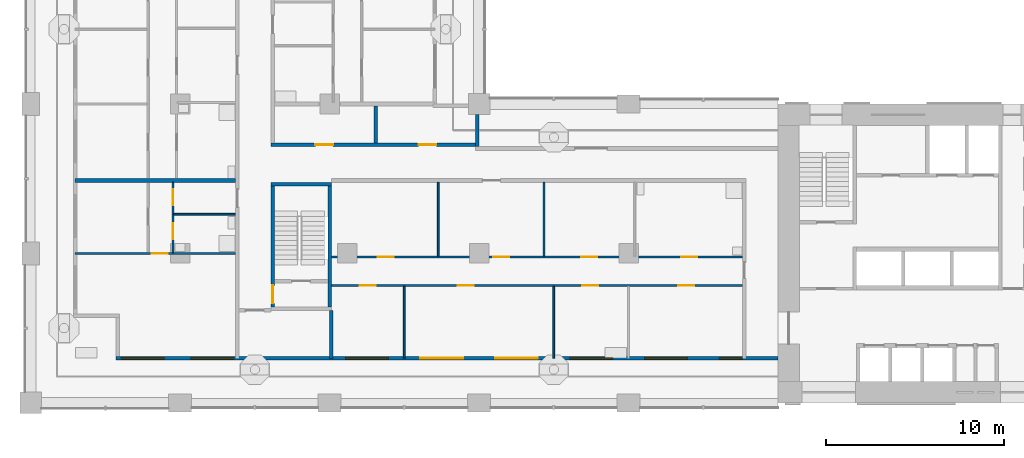
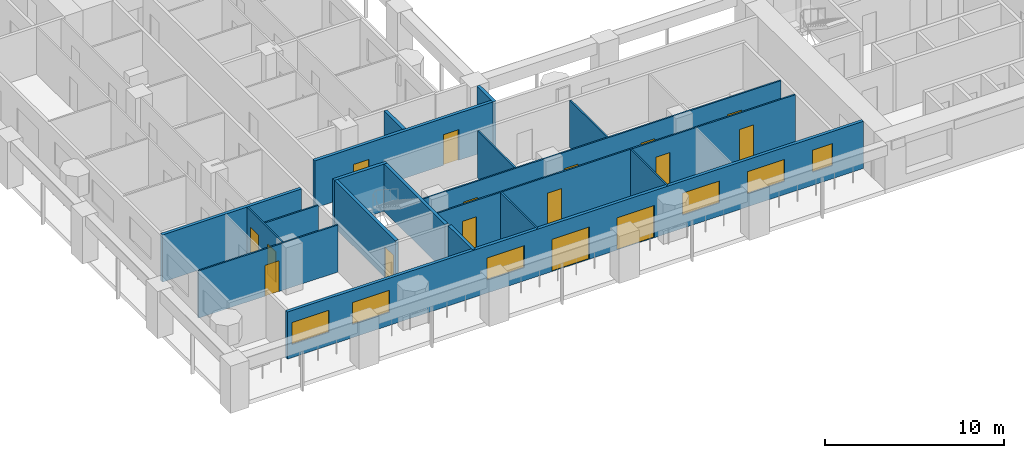
# One storey, part 2 of 18: 18 walls, 16 doors, 6 windows, 22 openings.
"""IFC4 building model written with IfcOpenShell, lengths in metres."""

from ifc_helpers import new_model, si_unit, direction, frame, frame_2d, origin, place, context, subcontext, project, spatial, rectangle, extrude, material, layer, layer_set, type_object, element, fill, save


model = new_model("IFC4")

# Units and contexts
model_context = context("Model", 3, precision=1e-05, world=origin(), true_north=direction((0.0, 1.0)))
body_context = subcontext(model_context, "Body", "Model", "MODEL_VIEW")
ifc_project = project(units=[si_unit("LENGTHUNIT", "METRE"), si_unit("AREAUNIT", "SQUARE_METRE"), si_unit("VOLUMEUNIT", "CUBIC_METRE"), si_unit("PLANEANGLEUNIT", "RADIAN"), si_unit("MASSUNIT", "GRAM", prefix="KILO")], contexts=[model_context])

# Site, building, storey
site_placement = place(None, origin())
site = spatial("IfcSite", under=ifc_project, at=site_placement, CompositionType="ELEMENT")
building_placement = place(site_placement, origin())
building = spatial("IfcBuilding", under=site, at=building_placement, Name="Vermilion Gate Residences", CompositionType="ELEMENT")
storey_placement = place(building_placement, frame((0.0, 0.0, 84.699951171875)))
storey = spatial("IfcBuildingStorey", under=building, at=storey_placement, Name="L20", CompositionType="ELEMENT", Elevation=84.699951171875)

# Wall, openings, doors, windows
ifc_material_1 = material(Name="Insulated steel stud wall with terracotta rainscreen", Category="masonry")
ifc_layer_1 = layer(ifc_material_1, 0.199951171875)
ifc_layer_set_1 = layer_set([ifc_layer_1], Name="EXTERNAL WALL 200 TERRACOTTA RAINSCREEN")
wall_type_1 = type_object("IfcWallType", Name="EXTERNAL WALL 200 TERRACOTTA RAINSCREEN", PredefinedType="SOLIDWALL", material=ifc_layer_set_1)
wall_1_placement = place(storey_placement, frame((4.800048828125, 10.89990234375, 0.0), z_axis=(0.0, 0.0, 1.0), x_axis=(1.0, 0.0, 0.0)))
wall_1 = element("IfcWall", 1, at=wall_1_placement, inside=storey, type_object=wall_type_1, Name="External wall", PredefinedType="SOLIDWALL", context=body_context, shape_type="SweptSolid", body=[
    extrude(rectangle(XDim=37.199951171875, YDim=0.199951171875, at=frame_2d((18.60009765625, 0.0))), origin(), (0.0, 0.0, 1.0), 3.219970703125),
])
opening_1_placement = place(wall_1_placement, frame((0.300048828125, 0.0, 0.89990234375)))
opening_1 = element("IfcOpeningElement", 2, at=opening_1_placement, cuts=wall_1, Name="Opening WE20012", PredefinedType="OPENING", context=body_context, shape_type="SweptSolid", body=[
    extrude(rectangle(XDim=2.39990234375, YDim=1.5, at=frame_2d((1.199951171875, 0.75))), frame((0.0, 0.10986328125, 0.0), z_axis=(0.0, -1.0, 0.0), x_axis=(1.0, 0.0, 0.0)), (0.0, 0.0, 1.0), 0.219970703125),
])
opening_2_placement = place(wall_1_placement, frame((4.199951171875, 0.0, 0.89990234375)))
opening_2 = element("IfcOpeningElement", 3, at=opening_2_placement, cuts=wall_1, Name="Opening WE20013", PredefinedType="OPENING", context=body_context, shape_type="SweptSolid", body=[
    extrude(rectangle(XDim=2.39990234375, YDim=1.5, at=frame_2d((1.199951171875, 0.75))), frame((0.0, 0.10986328125, 0.0), z_axis=(0.0, -1.0, 0.0), x_axis=(1.0, 0.0, 0.0)), (0.0, 0.0, 1.0), 0.219970703125),
])
opening_3_placement = place(wall_1_placement, frame((12.89990234375, 0.0, 0.89990234375)))
opening_3 = element("IfcOpeningElement", 4, at=opening_3_placement, cuts=wall_1, Name="Opening WE20014", PredefinedType="OPENING", context=body_context, shape_type="SweptSolid", body=[
    extrude(rectangle(XDim=2.39990234375, YDim=1.5, at=frame_2d((1.199951171875, 0.75))), frame((0.0, 0.10986328125, 0.0), z_axis=(0.0, -1.0, 0.0), x_axis=(1.0, 0.0, 0.0)), (0.0, 0.0, 1.0), 0.219970703125),
])
opening_4_placement = place(wall_1_placement, frame((17.10009765625, 0.0, 0.0)))
opening_4 = element("IfcOpeningElement", 5, at=opening_4_placement, cuts=wall_1, Name="Opening DE20015", PredefinedType="OPENING", context=body_context, shape_type="SweptSolid", body=[
    extrude(rectangle(XDim=2.39990234375, YDim=2.199951171875, at=frame_2d((1.199951171875, 1.10009765625))), frame((0.0, 0.10986328125, 0.0), z_axis=(0.0, -1.0, 0.0), x_axis=(1.0, 0.0, 0.0)), (0.0, 0.0, 1.0), 0.219970703125),
])
opening_5_placement = place(wall_1_placement, frame((21.300048828125, 0.0, 0.0)))
opening_5 = element("IfcOpeningElement", 6, at=opening_5_placement, cuts=wall_1, Name="Opening DE20016", PredefinedType="OPENING", context=body_context, shape_type="SweptSolid", body=[
    extrude(rectangle(XDim=2.39990234375, YDim=2.199951171875, at=frame_2d((1.199951171875, 1.10009765625))), frame((0.0, 0.10986328125, 0.0), z_axis=(0.0, -1.0, 0.0), x_axis=(1.0, 0.0, 0.0)), (0.0, 0.0, 1.0), 0.219970703125),
])
opening_6_placement = place(wall_1_placement, frame((25.5, 0.0, 0.89990234375)))
opening_6 = element("IfcOpeningElement", 7, at=opening_6_placement, cuts=wall_1, Name="Opening WE20017", PredefinedType="OPENING", context=body_context, shape_type="SweptSolid", body=[
    extrude(rectangle(XDim=2.39990234375, YDim=1.5, at=frame_2d((1.199951171875, 0.75))), frame((0.0, 0.10986328125, 0.0), z_axis=(0.0, -1.0, 0.0), x_axis=(1.0, 0.0, 0.0)), (0.0, 0.0, 1.0), 0.219970703125),
])
opening_7_placement = place(wall_1_placement, frame((29.699951171875, 0.0, 0.89990234375)))
opening_7 = element("IfcOpeningElement", 8, at=opening_7_placement, cuts=wall_1, Name="Opening WE20018", PredefinedType="OPENING", context=body_context, shape_type="SweptSolid", body=[
    extrude(rectangle(XDim=2.39990234375, YDim=1.5, at=frame_2d((1.199951171875, 0.75))), frame((0.0, 0.10986328125, 0.0), z_axis=(0.0, -1.0, 0.0), x_axis=(1.0, 0.0, 0.0)), (0.0, 0.0, 1.0), 0.219970703125),
])
opening_8_placement = place(wall_1_placement, frame((33.89990234375, 0.0, 0.89990234375)))
opening_8 = element("IfcOpeningElement", 9, at=opening_8_placement, cuts=wall_1, Name="Opening WE20019", PredefinedType="OPENING", context=body_context, shape_type="SweptSolid", body=[
    extrude(rectangle(XDim=1.300048828125, YDim=1.5, at=frame_2d((0.64990234375, 0.75))), frame((0.0, 0.10986328125, 0.0), z_axis=(0.0, -1.0, 0.0), x_axis=(1.0, 0.0, 0.0)), (0.0, 0.0, 1.0), 0.219970703125),
])
ifc_material_2 = material(Name="Aluminium and clear glass", Category="aluminium")
door_type_1 = type_object("IfcDoorType", Name="SLIDING GLAZED DOOR 2400 X 2200", OperationType="DOUBLE_DOOR_SLIDING", PredefinedType="DOOR", material=ifc_material_2)
door_1_placement = place(opening_4_placement, origin())
door_1 = element("IfcDoor", 10, at=door_1_placement, inside=storey, type_object=door_type_1, Name="Loggia sliding door", OperationType="DOUBLE_DOOR_SLIDING", OverallHeight=2.199951171875, OverallWidth=2.39990234375, PredefinedType="DOOR", context=body_context, shape_type="SweptSolid", body=[
    extrude(rectangle(XDim=2.39990234375, YDim=2.199951171875, at=frame_2d((1.199951171875, 1.10009765625))), frame((0.0, 0.02490234375, 0.0), z_axis=(0.0, -1.0, 0.0), x_axis=(1.0, 0.0, 0.0)), (0.0, 0.0, 1.0), 0.050048828125),
])
fill(opening_4, door_1)
door_2_placement = place(opening_5_placement, origin())
door_2 = element("IfcDoor", 11, at=door_2_placement, inside=storey, type_object=door_type_1, Name="Loggia sliding door", OperationType="DOUBLE_DOOR_SLIDING", OverallHeight=2.199951171875, OverallWidth=2.39990234375, PredefinedType="DOOR", context=body_context, shape_type="SweptSolid", body=[
    extrude(rectangle(XDim=2.39990234375, YDim=2.199951171875, at=frame_2d((1.199951171875, 1.10009765625))), frame((0.0, 0.02490234375, 0.0), z_axis=(0.0, -1.0, 0.0), x_axis=(1.0, 0.0, 0.0)), (0.0, 0.0, 1.0), 0.050048828125),
])
fill(opening_5, door_2)
ifc_material_3 = material(Name="Aluminium and clear glass", Category="aluminium")
window_type_1 = type_object("IfcWindowType", Name="WINDOW 1300 X 1500", PartitioningType="SINGLE_PANEL", PredefinedType="WINDOW", material=ifc_material_3)
window_1_placement = place(opening_8_placement, origin())
window_1 = element("IfcWindow", 12, at=window_1_placement, inside=storey, type_object=window_type_1, Name="Window", OverallHeight=1.5, OverallWidth=1.300048828125, PartitioningType="SINGLE_PANEL", PredefinedType="WINDOW", context=body_context, shape_type="SweptSolid", body=[
    extrude(rectangle(XDim=1.300048828125, YDim=1.5, at=frame_2d((0.64990234375, 0.75))), frame((0.0, 0.030029296875, 0.0), z_axis=(0.0, -1.0, 0.0), x_axis=(1.0, 0.0, 0.0)), (0.0, 0.0, 1.0), 0.06005859375),
])
fill(opening_8, window_1)
ifc_material_4 = material(Name="Aluminium and clear glass", Category="aluminium")
window_type_2 = type_object("IfcWindowType", Name="WINDOW 2400 X 1500", PartitioningType="SINGLE_PANEL", PredefinedType="WINDOW", material=ifc_material_4)
window_2_placement = place(opening_1_placement, origin())
window_2 = element("IfcWindow", 13, at=window_2_placement, inside=storey, type_object=window_type_2, Name="Window", OverallHeight=1.5, OverallWidth=2.39990234375, PartitioningType="SINGLE_PANEL", PredefinedType="WINDOW", context=body_context, shape_type="SweptSolid", body=[
    extrude(rectangle(XDim=2.39990234375, YDim=1.5, at=frame_2d((1.199951171875, 0.75))), frame((0.0, 0.030029296875, 0.0), z_axis=(0.0, -1.0, 0.0), x_axis=(1.0, 0.0, 0.0)), (0.0, 0.0, 1.0), 0.06005859375),
])
fill(opening_1, window_2)
window_3_placement = place(opening_2_placement, origin())
window_3 = element("IfcWindow", 14, at=window_3_placement, inside=storey, type_object=window_type_2, Name="Window", OverallHeight=1.5, OverallWidth=2.39990234375, PartitioningType="SINGLE_PANEL", PredefinedType="WINDOW", context=body_context, shape_type="SweptSolid", body=[
    extrude(rectangle(XDim=2.39990234375, YDim=1.5, at=frame_2d((1.199951171875, 0.75))), frame((0.0, 0.030029296875, 0.0), z_axis=(0.0, -1.0, 0.0), x_axis=(1.0, 0.0, 0.0)), (0.0, 0.0, 1.0), 0.06005859375),
])
fill(opening_2, window_3)
window_4_placement = place(opening_3_placement, origin())
window_4 = element("IfcWindow", 15, at=window_4_placement, inside=storey, type_object=window_type_2, Name="Window", OverallHeight=1.5, OverallWidth=2.39990234375, PartitioningType="SINGLE_PANEL", PredefinedType="WINDOW", context=body_context, shape_type="SweptSolid", body=[
    extrude(rectangle(XDim=2.39990234375, YDim=1.5, at=frame_2d((1.199951171875, 0.75))), frame((0.0, 0.030029296875, 0.0), z_axis=(0.0, -1.0, 0.0), x_axis=(1.0, 0.0, 0.0)), (0.0, 0.0, 1.0), 0.06005859375),
])
fill(opening_3, window_4)
window_5_placement = place(opening_6_placement, origin())
window_5 = element("IfcWindow", 16, at=window_5_placement, inside=storey, type_object=window_type_2, Name="Window", OverallHeight=1.5, OverallWidth=2.39990234375, PartitioningType="SINGLE_PANEL", PredefinedType="WINDOW", context=body_context, shape_type="SweptSolid", body=[
    extrude(rectangle(XDim=2.39990234375, YDim=1.5, at=frame_2d((1.199951171875, 0.75))), frame((0.0, 0.030029296875, 0.0), z_axis=(0.0, -1.0, 0.0), x_axis=(1.0, 0.0, 0.0)), (0.0, 0.0, 1.0), 0.06005859375),
])
fill(opening_6, window_5)
window_6_placement = place(opening_7_placement, origin())
window_6 = element("IfcWindow", 17, at=window_6_placement, inside=storey, type_object=window_type_2, Name="Window", OverallHeight=1.5, OverallWidth=2.39990234375, PartitioningType="SINGLE_PANEL", PredefinedType="WINDOW", context=body_context, shape_type="SweptSolid", body=[
    extrude(rectangle(XDim=2.39990234375, YDim=1.5, at=frame_2d((1.199951171875, 0.75))), frame((0.0, 0.030029296875, 0.0), z_axis=(0.0, -1.0, 0.0), x_axis=(1.0, 0.0, 0.0)), (0.0, 0.0, 1.0), 0.06005859375),
])
fill(opening_7, window_6)

# Wall
wall_2_placement = place(storey_placement, frame((25.10009765625, 22.800048828125, 0.0), z_axis=(0.0, 0.0, 1.0), x_axis=(0.0, 1.0, 0.0)))
element("IfcWall", 18, at=wall_2_placement, inside=storey, type_object=wall_type_1, Name="External wall", PredefinedType="SOLIDWALL", context=body_context, shape_type="SweptSolid", body=[
    extrude(rectangle(XDim=1.800048828125, YDim=0.199951171875, at=frame_2d((0.89990234375, 0.0))), origin(), (0.0, 0.0, 1.0), 3.219970703125),
])

# Wall, openings, doors
ifc_material_5 = material(Name="Plasterboard on steel studs", Category="steel")
ifc_layer_2 = layer(ifc_material_5, 0.10009765625)
ifc_layer_set_2 = layer_set([ifc_layer_2], Name="PARTITION 100")
wall_type_2 = type_object("IfcWallType", Name="PARTITION 100", PredefinedType="PARTITIONING", material=ifc_layer_set_2)
wall_3_placement = place(storey_placement, frame((16.89990234375, 15.0, 0.0), z_axis=(0.0, 0.0, 1.0), x_axis=(1.0, 0.0, 0.0)))
wall_3 = element("IfcWall", 19, at=wall_3_placement, inside=storey, type_object=wall_type_2, Name="Partition", PredefinedType="PARTITIONING", context=body_context, shape_type="SweptSolid", body=[
    extrude(rectangle(XDim=23.10009765625, YDim=0.10009765625, at=frame_2d((11.550048828125, 0.0))), origin(), (0.0, 0.0, 1.0), 3.219970703125),
])
opening_9_placement = place(wall_3_placement, frame((1.60009765625, 0.0, 0.0)))
opening_9 = element("IfcOpeningElement", 20, at=opening_9_placement, cuts=wall_3, Name="Opening DA19002", PredefinedType="OPENING", context=body_context, shape_type="SweptSolid", body=[
    extrude(rectangle(XDim=0.89990234375, YDim=2.10009765625, at=frame_2d((0.449951171875, 1.050048828125))), frame((0.0, 0.06005859375, 0.0), z_axis=(0.0, -1.0, 0.0), x_axis=(1.0, 0.0, 0.0)), (0.0, 0.0, 1.0), 0.1201171875),
])
opening_10_placement = place(wall_3_placement, frame((7.10009765625, 0.0, 0.0)))
opening_10 = element("IfcOpeningElement", 21, at=opening_10_placement, cuts=wall_3, Name="Opening DA19003", PredefinedType="OPENING", context=body_context, shape_type="SweptSolid", body=[
    extrude(rectangle(XDim=0.89990234375, YDim=2.10009765625, at=frame_2d((0.449951171875, 1.050048828125))), frame((0.0, 0.06005859375, 0.0), z_axis=(0.0, -1.0, 0.0), x_axis=(1.0, 0.0, 0.0)), (0.0, 0.0, 1.0), 0.1201171875),
])
opening_11_placement = place(wall_3_placement, frame((14.10009765625, 0.0, 0.0)))
opening_11 = element("IfcOpeningElement", 22, at=opening_11_placement, cuts=wall_3, Name="Opening DA19004", PredefinedType="OPENING", context=body_context, shape_type="SweptSolid", body=[
    extrude(rectangle(XDim=0.89990234375, YDim=2.10009765625, at=frame_2d((0.449951171875, 1.050048828125))), frame((0.0, 0.06005859375, 0.0), z_axis=(0.0, -1.0, 0.0), x_axis=(1.0, 0.0, 0.0)), (0.0, 0.0, 1.0), 0.1201171875),
])
opening_12_placement = place(wall_3_placement, frame((19.5, 0.0, 0.0)))
opening_12 = element("IfcOpeningElement", 23, at=opening_12_placement, cuts=wall_3, Name="Opening DA19005", PredefinedType="OPENING", context=body_context, shape_type="SweptSolid", body=[
    extrude(rectangle(XDim=0.89990234375, YDim=2.10009765625, at=frame_2d((0.449951171875, 1.050048828125))), frame((0.0, 0.06005859375, 0.0), z_axis=(0.0, -1.0, 0.0), x_axis=(1.0, 0.0, 0.0)), (0.0, 0.0, 1.0), 0.1201171875),
])
ifc_material_6 = material(Name="Timber", Category="wood")
door_type_2 = type_object("IfcDoorType", Name="INTERIOR DOOR 900 X 2100", OperationType="SINGLE_SWING_LEFT", PredefinedType="DOOR", material=ifc_material_6)
door_3_placement = place(opening_9_placement, frame((0.89990234375, 0.0, 0.0), z_axis=(0.0, 0.0, 1.0), x_axis=(-1.0, 0.0, 0.0)))
door_3 = element("IfcDoor", 24, at=door_3_placement, inside=storey, type_object=door_type_2, Name="Interior door", OperationType="SINGLE_SWING_LEFT", OverallHeight=2.10009765625, OverallWidth=0.89990234375, PredefinedType="DOOR", context=body_context, shape_type="SweptSolid", body=[
    extrude(rectangle(XDim=0.89990234375, YDim=2.10009765625, at=frame_2d((0.449951171875, 1.050048828125))), frame((0.0, 0.02490234375, 0.0), z_axis=(0.0, -1.0, 0.0), x_axis=(1.0, 0.0, 0.0)), (0.0, 0.0, 1.0), 0.050048828125),
])
fill(opening_9, door_3)
door_4_placement = place(opening_10_placement, frame((0.89990234375, 0.0, 0.0), z_axis=(0.0, 0.0, 1.0), x_axis=(-1.0, 0.0, 0.0)))
door_4 = element("IfcDoor", 25, at=door_4_placement, inside=storey, type_object=door_type_2, Name="Interior door", OperationType="SINGLE_SWING_RIGHT", OverallHeight=2.10009765625, OverallWidth=0.89990234375, PredefinedType="DOOR", context=body_context, shape_type="SweptSolid", body=[
    extrude(rectangle(XDim=0.89990234375, YDim=2.10009765625, at=frame_2d((0.449951171875, 1.050048828125))), frame((0.0, 0.02490234375, 0.0), z_axis=(0.0, -1.0, 0.0), x_axis=(1.0, 0.0, 0.0)), (0.0, 0.0, 1.0), 0.050048828125),
])
fill(opening_10, door_4)
door_5_placement = place(opening_11_placement, frame((0.89990234375, 0.0, 0.0), z_axis=(0.0, 0.0, 1.0), x_axis=(-1.0, 0.0, 0.0)))
door_5 = element("IfcDoor", 26, at=door_5_placement, inside=storey, type_object=door_type_2, Name="Interior door", OperationType="SINGLE_SWING_RIGHT", OverallHeight=2.10009765625, OverallWidth=0.89990234375, PredefinedType="DOOR", context=body_context, shape_type="SweptSolid", body=[
    extrude(rectangle(XDim=0.89990234375, YDim=2.10009765625, at=frame_2d((0.449951171875, 1.050048828125))), frame((0.0, 0.02490234375, 0.0), z_axis=(0.0, -1.0, 0.0), x_axis=(1.0, 0.0, 0.0)), (0.0, 0.0, 1.0), 0.050048828125),
])
fill(opening_11, door_5)
door_6_placement = place(opening_12_placement, frame((0.89990234375, 0.0, 0.0), z_axis=(0.0, 0.0, 1.0), x_axis=(-1.0, 0.0, 0.0)))
door_6 = element("IfcDoor", 27, at=door_6_placement, inside=storey, type_object=door_type_2, Name="Interior door", OperationType="SINGLE_SWING_LEFT", OverallHeight=2.10009765625, OverallWidth=0.89990234375, PredefinedType="DOOR", context=body_context, shape_type="SweptSolid", body=[
    extrude(rectangle(XDim=0.89990234375, YDim=2.10009765625, at=frame_2d((0.449951171875, 1.050048828125))), frame((0.0, 0.02490234375, 0.0), z_axis=(0.0, -1.0, 0.0), x_axis=(1.0, 0.0, 0.0)), (0.0, 0.0, 1.0), 0.050048828125),
])
fill(opening_12, door_6)

wall_4_placement = place(storey_placement, frame((16.89990234375, 16.60009765625, 0.0), z_axis=(0.0, 0.0, 1.0), x_axis=(1.0, 0.0, 0.0)))
wall_4 = element("IfcWall", 28, at=wall_4_placement, inside=storey, type_object=wall_type_2, Name="Partition", PredefinedType="PARTITIONING", context=body_context, shape_type="SweptSolid", body=[
    extrude(rectangle(XDim=23.10009765625, YDim=0.10009765625, at=frame_2d((11.550048828125, 0.0))), origin(), (0.0, 0.0, 1.0), 3.219970703125),
])
opening_13_placement = place(wall_4_placement, frame((9.10009765625, 0.0, 0.0)))
opening_13 = element("IfcOpeningElement", 29, at=opening_13_placement, cuts=wall_4, Name="Opening DA19006", PredefinedType="OPENING", context=body_context, shape_type="SweptSolid", body=[
    extrude(rectangle(XDim=0.89990234375, YDim=2.10009765625, at=frame_2d((0.449951171875, 1.050048828125))), frame((0.0, 0.06005859375, 0.0), z_axis=(0.0, -1.0, 0.0), x_axis=(1.0, 0.0, 0.0)), (0.0, 0.0, 1.0), 0.1201171875),
])
opening_14_placement = place(wall_4_placement, frame((2.60009765625, 0.0, 0.0)))
opening_14 = element("IfcOpeningElement", 30, at=opening_14_placement, cuts=wall_4, Name="Opening DA19007", PredefinedType="OPENING", context=body_context, shape_type="SweptSolid", body=[
    extrude(rectangle(XDim=0.89990234375, YDim=2.10009765625, at=frame_2d((0.449951171875, 1.050048828125))), frame((0.0, 0.06005859375, 0.0), z_axis=(0.0, -1.0, 0.0), x_axis=(1.0, 0.0, 0.0)), (0.0, 0.0, 1.0), 0.1201171875),
])
opening_15_placement = place(wall_4_placement, frame((14.050048828125, 0.0, 0.0)))
opening_15 = element("IfcOpeningElement", 31, at=opening_15_placement, cuts=wall_4, Name="Opening DA19008", PredefinedType="OPENING", context=body_context, shape_type="SweptSolid", body=[
    extrude(rectangle(XDim=0.89990234375, YDim=2.10009765625, at=frame_2d((0.449951171875, 1.050048828125))), frame((0.0, 0.06005859375, 0.0), z_axis=(0.0, -1.0, 0.0), x_axis=(1.0, 0.0, 0.0)), (0.0, 0.0, 1.0), 0.1201171875),
])
opening_16_placement = place(wall_4_placement, frame((19.64990234375, 0.0, 0.0)))
opening_16 = element("IfcOpeningElement", 32, at=opening_16_placement, cuts=wall_4, Name="Opening DA19009", PredefinedType="OPENING", context=body_context, shape_type="SweptSolid", body=[
    extrude(rectangle(XDim=0.89990234375, YDim=2.10009765625, at=frame_2d((0.449951171875, 1.050048828125))), frame((0.0, 0.06005859375, 0.0), z_axis=(0.0, -1.0, 0.0), x_axis=(1.0, 0.0, 0.0)), (0.0, 0.0, 1.0), 0.1201171875),
])
door_7_placement = place(opening_13_placement, origin())
door_7 = element("IfcDoor", 33, at=door_7_placement, inside=storey, type_object=door_type_2, Name="Interior door", OperationType="SINGLE_SWING_LEFT", OverallHeight=2.10009765625, OverallWidth=0.89990234375, PredefinedType="DOOR", context=body_context, shape_type="SweptSolid", body=[
    extrude(rectangle(XDim=0.89990234375, YDim=2.10009765625, at=frame_2d((0.449951171875, 1.050048828125))), frame((0.0, 0.02490234375, 0.0), z_axis=(0.0, -1.0, 0.0), x_axis=(1.0, 0.0, 0.0)), (0.0, 0.0, 1.0), 0.050048828125),
])
fill(opening_13, door_7)
door_8_placement = place(opening_14_placement, origin())
door_8 = element("IfcDoor", 34, at=door_8_placement, inside=storey, type_object=door_type_2, Name="Interior door", OperationType="SINGLE_SWING_LEFT", OverallHeight=2.10009765625, OverallWidth=0.89990234375, PredefinedType="DOOR", context=body_context, shape_type="SweptSolid", body=[
    extrude(rectangle(XDim=0.89990234375, YDim=2.10009765625, at=frame_2d((0.449951171875, 1.050048828125))), frame((0.0, 0.02490234375, 0.0), z_axis=(0.0, -1.0, 0.0), x_axis=(1.0, 0.0, 0.0)), (0.0, 0.0, 1.0), 0.050048828125),
])
fill(opening_14, door_8)
door_9_placement = place(opening_15_placement, origin())
door_9 = element("IfcDoor", 35, at=door_9_placement, inside=storey, type_object=door_type_2, Name="Interior door", OperationType="SINGLE_SWING_RIGHT", OverallHeight=2.10009765625, OverallWidth=0.89990234375, PredefinedType="DOOR", context=body_context, shape_type="SweptSolid", body=[
    extrude(rectangle(XDim=0.89990234375, YDim=2.10009765625, at=frame_2d((0.449951171875, 1.050048828125))), frame((0.0, 0.02490234375, 0.0), z_axis=(0.0, -1.0, 0.0), x_axis=(1.0, 0.0, 0.0)), (0.0, 0.0, 1.0), 0.050048828125),
])
fill(opening_15, door_9)
door_10_placement = place(opening_16_placement, origin())
door_10 = element("IfcDoor", 36, at=door_10_placement, inside=storey, type_object=door_type_2, Name="Interior door", OperationType="SINGLE_SWING_RIGHT", OverallHeight=2.10009765625, OverallWidth=0.89990234375, PredefinedType="DOOR", context=body_context, shape_type="SweptSolid", body=[
    extrude(rectangle(XDim=0.89990234375, YDim=2.10009765625, at=frame_2d((0.449951171875, 1.050048828125))), frame((0.0, 0.02490234375, 0.0), z_axis=(0.0, -1.0, 0.0), x_axis=(1.0, 0.0, 0.0)), (0.0, 0.0, 1.0), 0.050048828125),
])
fill(opening_16, door_10)

# Wall, opening, door
wall_5_placement = place(storey_placement, frame((2.5, 16.800048828125, 0.0), z_axis=(0.0, 0.0, 1.0), x_axis=(1.0, 0.0, 0.0)))
wall_5 = element("IfcWall", 37, at=wall_5_placement, inside=storey, type_object=wall_type_2, Name="Partition", PredefinedType="PARTITIONING", context=body_context, shape_type="SweptSolid", body=[
    extrude(rectangle(XDim=9.0, YDim=0.10009765625, at=frame_2d((4.5, 0.0))), origin(), (0.0, 0.0, 1.0), 3.219970703125),
])
opening_17_placement = place(wall_5_placement, frame((4.300048828125, 0.0, 0.0)))
opening_17 = element("IfcOpeningElement", 38, at=opening_17_placement, cuts=wall_5, Name="Opening DA19010", PredefinedType="OPENING", context=body_context, shape_type="SweptSolid", body=[
    extrude(rectangle(XDim=0.89990234375, YDim=2.10009765625, at=frame_2d((0.449951171875, 1.050048828125))), frame((0.0, 0.06005859375, 0.0), z_axis=(0.0, -1.0, 0.0), x_axis=(1.0, 0.0, 0.0)), (0.0, 0.0, 1.0), 0.1201171875),
])
door_11_placement = place(opening_17_placement, frame((0.89990234375, 0.0, 0.0), z_axis=(0.0, 0.0, 1.0), x_axis=(-1.0, 0.0, 0.0)))
door_11 = element("IfcDoor", 39, at=door_11_placement, inside=storey, type_object=door_type_2, Name="Interior door", OperationType="SINGLE_SWING_LEFT", OverallHeight=2.10009765625, OverallWidth=0.89990234375, PredefinedType="DOOR", context=body_context, shape_type="SweptSolid", body=[
    extrude(rectangle(XDim=0.89990234375, YDim=2.10009765625, at=frame_2d((0.449951171875, 1.050048828125))), frame((0.0, 0.02490234375, 0.0), z_axis=(0.0, -1.0, 0.0), x_axis=(1.0, 0.0, 0.0)), (0.0, 0.0, 1.0), 0.050048828125),
])
fill(opening_17, door_11)

# Wall
wall_6_placement = place(storey_placement, frame((8.050048828125, 19.0, 0.0), z_axis=(0.0, 0.0, 1.0), x_axis=(1.0, 0.0, 0.0)))
element("IfcWall", 40, at=wall_6_placement, inside=storey, type_object=wall_type_2, Name="Partition", PredefinedType="PARTITIONING", context=body_context, shape_type="SweptSolid", body=[
    extrude(rectangle(XDim=3.449951171875, YDim=0.10009765625, at=frame_2d((1.72509765625, 0.0))), origin(), (0.0, 0.0, 1.0), 3.219970703125),
])

# Wall, openings, doors
wall_7_placement = place(storey_placement, frame((8.0, 16.85009765625, 0.0), z_axis=(0.0, 0.0, 1.0), x_axis=(0.0, 1.0, 0.0)))
wall_7 = element("IfcWall", 41, at=wall_7_placement, inside=storey, type_object=wall_type_2, Name="Partition", PredefinedType="PARTITIONING", context=body_context, shape_type="SweptSolid", body=[
    extrude(rectangle(XDim=3.949951171875, YDim=0.10009765625, at=frame_2d((1.97509765625, 0.0))), origin(), (0.0, 0.0, 1.0), 3.219970703125),
])
opening_18_placement = place(wall_7_placement, frame((2.64990234375, 0.0, 0.0)))
opening_18 = element("IfcOpeningElement", 42, at=opening_18_placement, cuts=wall_7, Name="Opening DA19024", PredefinedType="OPENING", context=body_context, shape_type="SweptSolid", body=[
    extrude(rectangle(XDim=0.89990234375, YDim=2.10009765625, at=frame_2d((0.449951171875, 1.050048828125))), frame((0.0, 0.06005859375, 0.0), z_axis=(0.0, -1.0, 0.0), x_axis=(1.0, 0.0, 0.0)), (0.0, 0.0, 1.0), 0.1201171875),
])
opening_19_placement = place(wall_7_placement, frame((0.75, 0.0, 0.0)))
opening_19 = element("IfcOpeningElement", 43, at=opening_19_placement, cuts=wall_7, Name="Opening DA19025", PredefinedType="OPENING", context=body_context, shape_type="SweptSolid", body=[
    extrude(rectangle(XDim=0.89990234375, YDim=2.10009765625, at=frame_2d((0.449951171875, 1.050048828125))), frame((0.0, 0.06005859375, 0.0), z_axis=(0.0, -1.0, 0.0), x_axis=(1.0, 0.0, 0.0)), (0.0, 0.0, 1.0), 0.1201171875),
])
door_12_placement = place(opening_18_placement, origin())
door_12 = element("IfcDoor", 44, at=door_12_placement, inside=storey, type_object=door_type_2, Name="Interior door", OperationType="SINGLE_SWING_RIGHT", OverallHeight=2.10009765625, OverallWidth=0.89990234375, PredefinedType="DOOR", context=body_context, shape_type="SweptSolid", body=[
    extrude(rectangle(XDim=0.89990234375, YDim=2.10009765625, at=frame_2d((0.449951171875, 1.050048828125))), frame((0.0, 0.02490234375, 0.0), z_axis=(0.0, -1.0, 0.0), x_axis=(1.0, 0.0, 0.0)), (0.0, 0.0, 1.0), 0.050048828125),
])
fill(opening_18, door_12)
door_13_placement = place(opening_19_placement, frame((0.89990234375, 0.0, 0.0), z_axis=(0.0, 0.0, 1.0), x_axis=(-1.0, 0.0, 0.0)))
door_13 = element("IfcDoor", 45, at=door_13_placement, inside=storey, type_object=door_type_2, Name="Interior door", OperationType="SINGLE_SWING_RIGHT", OverallHeight=2.10009765625, OverallWidth=0.89990234375, PredefinedType="DOOR", context=body_context, shape_type="SweptSolid", body=[
    extrude(rectangle(XDim=0.89990234375, YDim=2.10009765625, at=frame_2d((0.449951171875, 1.050048828125))), frame((0.0, 0.02490234375, 0.0), z_axis=(0.0, -1.0, 0.0), x_axis=(1.0, 0.0, 0.0)), (0.0, 0.0, 1.0), 0.050048828125),
])
fill(opening_19, door_13)

# Walls
wall_8_placement = place(storey_placement, frame((21.0, 10.89990234375, 0.0), z_axis=(0.0, 0.0, 1.0), x_axis=(0.0, 1.0, 0.0)))
element("IfcWall", 46, at=wall_8_placement, inside=storey, type_object=wall_type_2, Name="Partition", PredefinedType="PARTITIONING", context=body_context, shape_type="SweptSolid", body=[
    extrude(rectangle(XDim=4.050048828125, YDim=0.10009765625, at=frame_2d((2.02490234375, 0.0))), origin(), (0.0, 0.0, 1.0), 3.219970703125),
])
for number, where, z_axis, x_axis, name in (
    (47, (22.89990234375, 16.64990234375, 0.0), (0.0, 0.0, 1.0), (0.0, 1.0, 0.0), "Partition"),
    (48, (28.85009765625, 16.64990234375, 0.0), (0.0, 0.0, 1.0), (0.0, 1.0, 0.0), "Partition"),
):
    element("IfcWall", number, at=place(storey_placement, frame(where, z_axis=z_axis, x_axis=x_axis)), inside=storey, type_object=wall_type_2, Name=name, PredefinedType="PARTITIONING", context=body_context, shape_type="SweptSolid", body=[
        extrude(rectangle(XDim=4.150146484375, YDim=0.10009765625, at=frame_2d((2.0751953125, 0.0))), origin(), (0.0, 0.0, 1.0), 3.219970703125),
    ])
wall_9_placement = place(storey_placement, frame((29.39990234375, 10.89990234375, 0.0), z_axis=(0.0, 0.0, 1.0), x_axis=(0.0, 1.0, 0.0)))
element("IfcWall", 49, at=wall_9_placement, inside=storey, type_object=wall_type_2, Name="Partition", PredefinedType="PARTITIONING", context=body_context, shape_type="SweptSolid", body=[
    extrude(rectangle(XDim=4.050048828125, YDim=0.10009765625, at=frame_2d((2.02490234375, 0.0))), origin(), (0.0, 0.0, 1.0), 3.219970703125),
])
ifc_material_7 = material(Name="Fire-rated plasterboard on steel studs", Category="steel")
ifc_layer_3 = layer(ifc_material_7, 0.199951171875)
ifc_layer_set_3 = layer_set([ifc_layer_3], Name="PARTY WALL 200 EI 120")
wall_type_3 = type_object("IfcWallType", Name="PARTY WALL 200 EI 120", PredefinedType="PARTITIONING", material=ifc_layer_set_3)
wall_10_placement = place(storey_placement, frame((2.5, 20.89990234375, 0.0), z_axis=(0.0, 0.0, 1.0), x_axis=(1.0, 0.0, 0.0)))
element("IfcWall", 50, at=wall_10_placement, inside=storey, type_object=wall_type_3, Name="Party and corridor wall", PredefinedType="PARTITIONING", context=body_context, shape_type="SweptSolid", body=[
    extrude(rectangle(XDim=9.0, YDim=0.199951171875, at=frame_2d((4.5, 0.0))), origin(), (0.0, 0.0, 1.0), 3.219970703125),
])

# Wall, openings, doors
wall_11_placement = place(storey_placement, frame((13.5, 22.89990234375, 0.0), z_axis=(0.0, 0.0, 1.0), x_axis=(1.0, 0.0, 0.0)))
wall_11 = element("IfcWall", 51, at=wall_11_placement, inside=storey, type_object=wall_type_3, Name="Party and corridor wall", PredefinedType="PARTITIONING", context=body_context, shape_type="SweptSolid", body=[
    extrude(rectangle(XDim=11.60009765625, YDim=0.199951171875, at=frame_2d((5.800048828125, 0.0))), origin(), (0.0, 0.0, 1.0), 3.219970703125),
])
opening_20_placement = place(wall_11_placement, frame((2.5, 0.0, 0.0)))
opening_20 = element("IfcOpeningElement", 52, at=opening_20_placement, cuts=wall_11, Name="Opening DA19012", PredefinedType="OPENING", context=body_context, shape_type="SweptSolid", body=[
    extrude(rectangle(XDim=1.0, YDim=2.10009765625, at=frame_2d((0.5, 1.050048828125))), frame((0.0, 0.10986328125, 0.0), z_axis=(0.0, -1.0, 0.0), x_axis=(1.0, 0.0, 0.0)), (0.0, 0.0, 1.0), 0.219970703125),
])
opening_21_placement = place(wall_11_placement, frame((8.300048828125, 0.0, 0.0)))
opening_21 = element("IfcOpeningElement", 53, at=opening_21_placement, cuts=wall_11, Name="Opening DA19013", PredefinedType="OPENING", context=body_context, shape_type="SweptSolid", body=[
    extrude(rectangle(XDim=1.0, YDim=2.10009765625, at=frame_2d((0.5, 1.050048828125))), frame((0.0, 0.10986328125, 0.0), z_axis=(0.0, -1.0, 0.0), x_axis=(1.0, 0.0, 0.0)), (0.0, 0.0, 1.0), 0.219970703125),
])
ifc_material_8 = material(Name="Steel", Category="steel")
door_type_3 = type_object("IfcDoorType", Name="ENTRANCE DOOR 1000 X 2100 FD30", OperationType="SINGLE_SWING_LEFT", PredefinedType="DOOR", material=ifc_material_8)
door_14_placement = place(opening_20_placement, origin())
door_14 = element("IfcDoor", 54, at=door_14_placement, inside=storey, type_object=door_type_3, Name="Entrance door", OperationType="SINGLE_SWING_RIGHT", OverallHeight=2.10009765625, OverallWidth=1.0, PredefinedType="DOOR", context=body_context, shape_type="SweptSolid", body=[
    extrude(rectangle(XDim=1.0, YDim=2.10009765625, at=frame_2d((0.5, 1.050048828125))), frame((0.0, 0.02490234375, 0.0), z_axis=(0.0, -1.0, 0.0), x_axis=(1.0, 0.0, 0.0)), (0.0, 0.0, 1.0), 0.050048828125),
])
fill(opening_20, door_14)
door_15_placement = place(opening_21_placement, origin())
door_15 = element("IfcDoor", 55, at=door_15_placement, inside=storey, type_object=door_type_3, Name="Entrance door", OperationType="SINGLE_SWING_RIGHT", OverallHeight=2.10009765625, OverallWidth=1.0, PredefinedType="DOOR", context=body_context, shape_type="SweptSolid", body=[
    extrude(rectangle(XDim=1.0, YDim=2.10009765625, at=frame_2d((0.5, 1.050048828125))), frame((0.0, 0.02490234375, 0.0), z_axis=(0.0, -1.0, 0.0), x_axis=(1.0, 0.0, 0.0)), (0.0, 0.0, 1.0), 0.050048828125),
])
fill(opening_21, door_15)

# Walls
wall_12_placement = place(storey_placement, frame((16.89990234375, 10.89990234375, 0.0), z_axis=(0.0, 0.0, 1.0), x_axis=(0.0, 1.0, 0.0)))
element("IfcWall", 56, at=wall_12_placement, inside=storey, type_object=wall_type_3, Name="Party and corridor wall", PredefinedType="PARTITIONING", context=body_context, shape_type="SweptSolid", body=[
    extrude(rectangle(XDim=2.7001953125, YDim=0.199951171875, at=frame_2d((1.35009765625, 0.0))), origin(), (0.0, 0.0, 1.0), 3.219970703125),
])
wall_13_placement = place(storey_placement, frame((19.39990234375, 23.0, 0.0), z_axis=(0.0, 0.0, 1.0), x_axis=(0.0, 1.0, 0.0)))
element("IfcWall", 57, at=wall_13_placement, inside=storey, type_object=wall_type_3, Name="Party and corridor wall", PredefinedType="PARTITIONING", context=body_context, shape_type="SweptSolid", body=[
    extrude(rectangle(XDim=2.10009765625, YDim=0.199951171875, at=frame_2d((1.050048828125, 0.0))), origin(), (0.0, 0.0, 1.0), 3.219970703125),
])

# Wall, opening, door
ifc_material_9 = material(Name="Concrete C60", Category="concrete")
ifc_layer_4 = layer(ifc_material_9, 0.199951171875)
ifc_layer_set_4 = layer_set([ifc_layer_4], Name="RC CORE INTERNAL WALL 200 C60")
wall_type_4 = type_object("IfcWallType", Name="RC CORE INTERNAL WALL 200 C60", PredefinedType="SHEAR", material=ifc_layer_set_4)
wall_14_placement = place(storey_placement, frame((13.60009765625, 13.800048828125, 0.0), z_axis=(0.0, 0.0, 1.0), x_axis=(0.0, 1.0, 0.0)))
wall_14 = element("IfcWall", 58, at=wall_14_placement, inside=storey, type_object=wall_type_4, Name="Core internal wall C20-W", PredefinedType="SHEAR", context=body_context, shape_type="SweptSolid", body=[
    extrude(rectangle(XDim=6.800048828125, YDim=0.199951171875, at=frame_2d((3.39990234375, 0.0))), origin(), (0.0, 0.0, 1.0), 3.219970703125),
])
opening_22_placement = place(wall_14_placement, frame((0.199951171875, 0.0, 0.0)))
opening_22 = element("IfcOpeningElement", 59, at=opening_22_placement, cuts=wall_14, Name="Opening DK20201", PredefinedType="OPENING", context=body_context, shape_type="SweptSolid", body=[
    extrude(rectangle(XDim=1.0, YDim=2.10009765625, at=frame_2d((0.5, 1.050048828125))), frame((0.0, 0.10986328125, 0.0), z_axis=(0.0, -1.0, 0.0), x_axis=(1.0, 0.0, 0.0)), (0.0, 0.0, 1.0), 0.219970703125),
])
ifc_material_10 = material(Name="Steel", Category="steel")
door_type_4 = type_object("IfcDoorType", Name="FIRE DOOR FD60 1000 X 2100", OperationType="SINGLE_SWING_LEFT", PredefinedType="DOOR", material=ifc_material_10)
door_16_placement = place(opening_22_placement, frame((1.0, 0.0, 0.0), z_axis=(0.0, 0.0, 1.0), x_axis=(-1.0, 0.0, 0.0)))
door_16 = element("IfcDoor", 60, at=door_16_placement, inside=storey, type_object=door_type_4, Name="Stair vestibule door C20", OperationType="SINGLE_SWING_LEFT", OverallHeight=2.10009765625, OverallWidth=1.0, PredefinedType="DOOR", context=body_context, shape_type="SweptSolid", body=[
    extrude(rectangle(XDim=1.0, YDim=2.10009765625, at=frame_2d((0.5, 1.050048828125))), frame((0.0, 0.02490234375, 0.0), z_axis=(0.0, -1.0, 0.0), x_axis=(1.0, 0.0, 0.0)), (0.0, 0.0, 1.0), 0.050048828125),
])
fill(opening_22, door_16)

# Walls
wall_15_placement = place(storey_placement, frame((16.800048828125, 13.800048828125, 0.0), z_axis=(0.0, 0.0, 1.0), x_axis=(0.0, 1.0, 0.0)))
element("IfcWall", 61, at=wall_15_placement, inside=storey, type_object=wall_type_4, Name="Core internal wall C20-E", PredefinedType="SHEAR", context=body_context, shape_type="SweptSolid", body=[
    extrude(rectangle(XDim=6.800048828125, YDim=0.199951171875, at=frame_2d((3.39990234375, 0.0))), origin(), (0.0, 0.0, 1.0), 3.219970703125),
])
wall_16_placement = place(storey_placement, frame((13.5, 20.699951171875, 0.0), z_axis=(0.0, 0.0, 1.0), x_axis=(1.0, 0.0, 0.0)))
element("IfcWall", 62, at=wall_16_placement, inside=storey, type_object=wall_type_4, Name="Core internal wall C20-N", PredefinedType="SHEAR", context=body_context, shape_type="SweptSolid", body=[
    extrude(rectangle(XDim=3.39990234375, YDim=0.199951171875, at=frame_2d((1.699951171875, 0.0))), origin(), (0.0, 0.0, 1.0), 3.219970703125),
])

save(model, "model.ifc")
